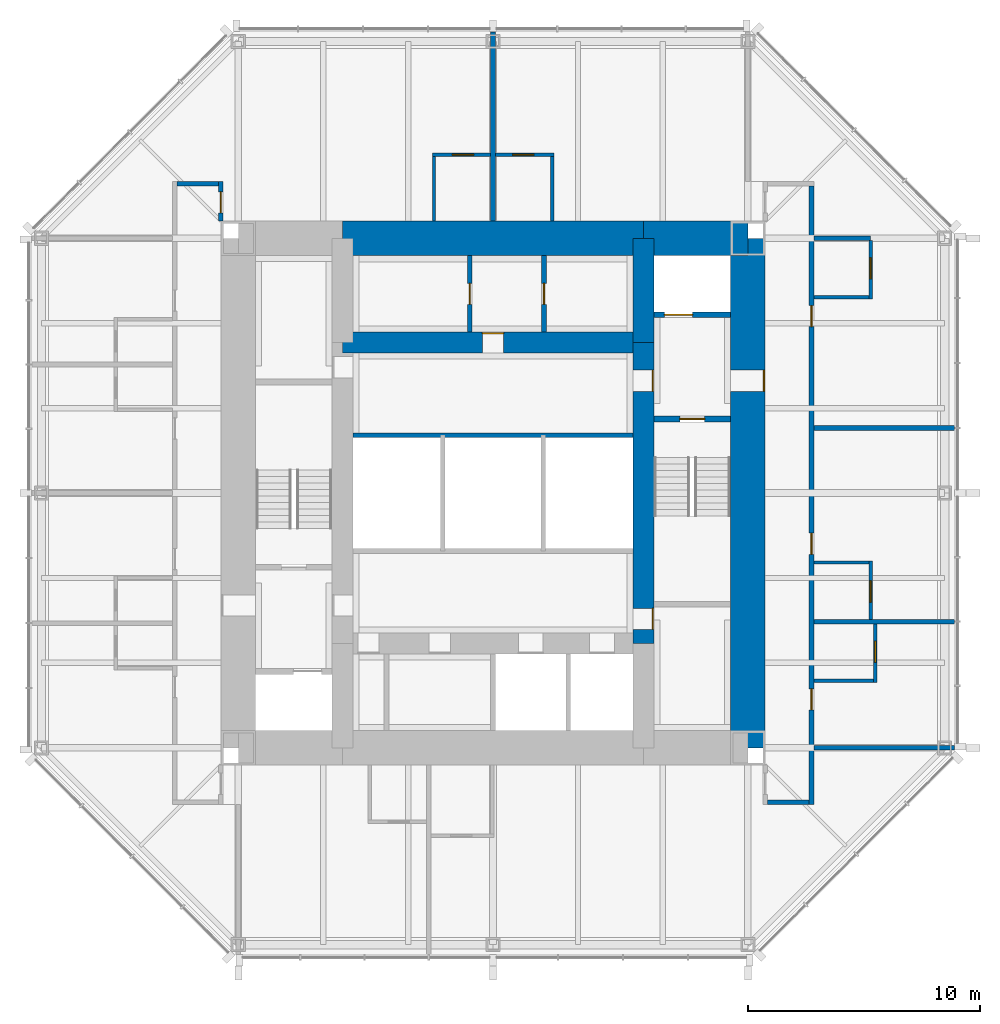
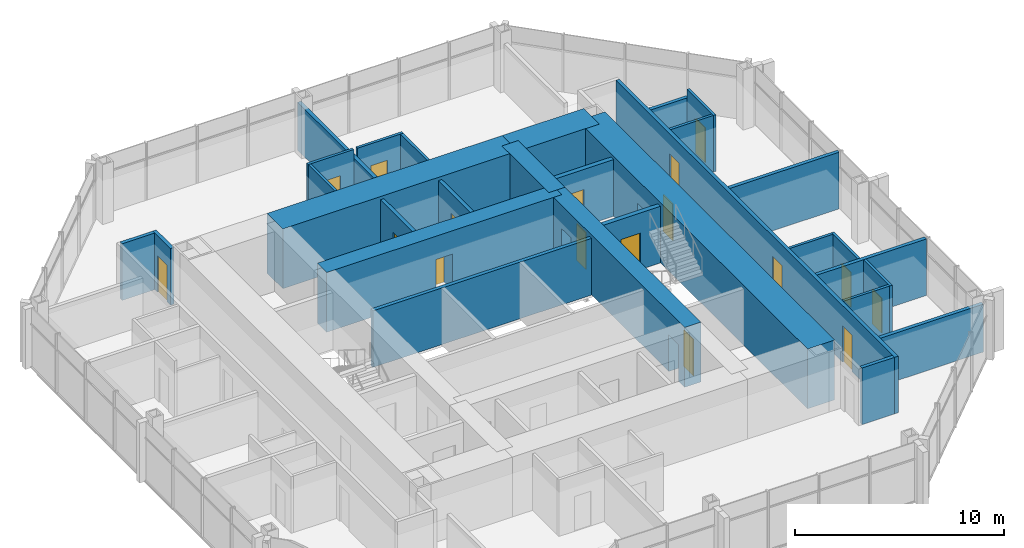
# One storey, part 9 of 11: 30 walls, 17 doors, 17 openings.
"""IFC4 building model written with IfcOpenShell, lengths in metres."""

from ifc_helpers import new_model, si_unit, direction, frame, frame_2d, origin, place, context, subcontext, project, spatial, rectangle, extrude, material, layer, layer_set, type_object, element, fill, save


model = new_model("IFC4")

# Units and contexts
model_context = context("Model", 3, precision=1e-05, world=origin(), true_north=direction((0.0, 1.0)))
body_context = subcontext(model_context, "Body", "Model", "MODEL_VIEW")
ifc_project = project(units=[si_unit("LENGTHUNIT", "METRE"), si_unit("AREAUNIT", "SQUARE_METRE"), si_unit("VOLUMEUNIT", "CUBIC_METRE"), si_unit("PLANEANGLEUNIT", "RADIAN"), si_unit("MASSUNIT", "GRAM", prefix="KILO")], contexts=[model_context])

# Site, building, storey
site_placement = place(None, origin())
site = spatial("IfcSite", under=ifc_project, at=site_placement, CompositionType="ELEMENT")
building_placement = place(site_placement, origin())
building = spatial("IfcBuilding", under=site, at=building_placement, Name="Trevanion Tower", CompositionType="ELEMENT")
storey_placement = place(building_placement, frame((0.0, 0.0, 222.199951171875)))
storey = spatial("IfcBuildingStorey", under=building, at=storey_placement, Name="L53", CompositionType="ELEMENT", Elevation=222.199951171875)

# Wall, opening, door
ifc_material_1 = material(Name="Concrete 10,000 psi", Category="concrete")
ifc_layer_1 = layer(ifc_material_1, 1.5)
ifc_layer_set_1 = layer_set([ifc_layer_1], Name="CW1 core wall 1500")
wall_type_1 = type_object("IfcWallType", Name="CW1 core wall 1500", PredefinedType="SHEAR", material=ifc_layer_set_1)
wall_1_placement = place(storey_placement, frame((11.0, -11.0, 0.0), z_axis=(0.0, 0.0, 1.0), x_axis=(0.0, 1.0, 0.0)))
wall_1 = element("IfcWall", 1, at=wall_1_placement, inside=storey, type_object=wall_type_1, Name="CW1 CE L53", PredefinedType="SHEAR", context=body_context, shape_type="SweptSolid", body=[
    extrude(rectangle(XDim=22.0, YDim=1.5, at=frame_2d((11.0, 0.0))), origin(), (0.0, 0.0, 1.0), 3.5),
])
opening_1_placement = place(wall_1_placement, frame((15.392578125, 0.0, 0.0)))
opening_1 = element("IfcOpeningElement", 2, at=opening_1_placement, cuts=wall_1, Name="Opening 53-001", PredefinedType="OPENING", context=body_context, shape_type="SweptSolid", body=[
    extrude(rectangle(XDim=0.9150390625, YDim=2.134033203125, at=frame_2d((0.45751953125, 1.06689453125))), frame((0.0, 0.760009765625, 0.0), z_axis=(0.0, -1.0, 0.0), x_axis=(1.0, 0.0, 0.0)), (0.0, 0.0, 1.0), 1.52001953125),
])
ifc_material_2 = material(Name="Hollow metal, fire rated", Category="steel")
door_type_1 = type_object("IfcDoorType", Name="D3 fire lift lobby door", OperationType="SINGLE_SWING_RIGHT", PredefinedType="DOOR", material=ifc_material_2)
door_1_placement = place(opening_1_placement, origin())
door_1 = element("IfcDoor", 3, at=door_1_placement, inside=storey, type_object=door_type_1, Name="Door 53-001", OperationType="SINGLE_SWING_RIGHT", OverallHeight=2.134033203125, OverallWidth=0.9150390625, PredefinedType="DOOR", context=body_context, shape_type="SweptSolid", body=[
    extrude(rectangle(XDim=0.9150390625, YDim=2.134033203125, at=frame_2d((0.45751953125, 1.06689453125))), frame((0.0, -0.6748046875, 0.0), z_axis=(0.0, -1.0, 0.0), x_axis=(1.0, 0.0, 0.0)), (0.0, 0.0, 1.0), 0.050048828125),
])
fill(opening_1, door_1)

# Walls
wall_2_placement = place(storey_placement, frame((11.0, 11.0, 0.0), z_axis=(0.0, 0.0, 1.0), x_axis=(-1.0, 0.0, 0.0)))
element("IfcWall", 4, at=wall_2_placement, inside=storey, type_object=wall_type_1, Name="CW1 CN1 L53", PredefinedType="SHEAR", context=body_context, shape_type="SweptSolid", body=[
    extrude(rectangle(XDim=4.5, YDim=1.5, at=frame_2d((2.25, 0.0))), origin(), (0.0, 0.0, 1.0), 3.5),
])
wall_3_placement = place(storey_placement, frame((6.5, 11.0, 0.0), z_axis=(0.0, 0.0, 1.0), x_axis=(-1.0, 0.0, 0.0)))
element("IfcWall", 5, at=wall_3_placement, inside=storey, type_object=wall_type_1, Name="CW1 CN2 L53", PredefinedType="SHEAR", context=body_context, shape_type="SweptSolid", body=[
    extrude(rectangle(XDim=13.0, YDim=1.5, at=frame_2d((6.5, 0.0))), origin(), (0.0, 0.0, 1.0), 3.5),
])

# Wall, openings, doors
ifc_material_3 = material(Name="Concrete 10,000 psi", Category="concrete")
ifc_layer_2 = layer(ifc_material_3, 0.89990234375)
ifc_layer_set_2 = layer_set([ifc_layer_2], Name="CW2 core wall 900")
wall_type_2 = type_object("IfcWallType", Name="CW2 core wall 900", PredefinedType="SHEAR", material=ifc_layer_set_2)
wall_4_placement = place(storey_placement, frame((6.5, -6.5, 0.0), z_axis=(0.0, 0.0, 1.0), x_axis=(0.0, 1.0, 0.0)))
wall_4 = element("IfcWall", 6, at=wall_4_placement, inside=storey, type_object=wall_type_2, Name="CW2 RE2 L53", PredefinedType="SHEAR", context=body_context, shape_type="SweptSolid", body=[
    extrude(rectangle(XDim=13.0, YDim=0.89990234375, at=frame_2d((6.5, 0.0))), origin(), (0.0, 0.0, 1.0), 3.5),
])
opening_2_placement = place(wall_4_placement, frame((10.892578125, 0.0, 0.0)))
opening_2 = element("IfcOpeningElement", 7, at=opening_2_placement, cuts=wall_4, Name="Opening 53-003", PredefinedType="OPENING", context=body_context, shape_type="SweptSolid", body=[
    extrude(rectangle(XDim=0.9150390625, YDim=2.134033203125, at=frame_2d((0.45751953125, 1.06689453125))), frame((0.0, 0.4599609375, 0.0), z_axis=(0.0, -1.0, 0.0), x_axis=(1.0, 0.0, 0.0)), (0.0, 0.0, 1.0), 0.919921875),
])
opening_3_placement = place(wall_4_placement, frame((0.610107421875, 0.0, 0.0)))
opening_3 = element("IfcOpeningElement", 8, at=opening_3_placement, cuts=wall_4, Name="Opening 53-009", PredefinedType="OPENING", context=body_context, shape_type="SweptSolid", body=[
    extrude(rectangle(XDim=0.9150390625, YDim=2.134033203125, at=frame_2d((0.45751953125, 1.06689453125))), frame((0.0, 0.4599609375, 0.0), z_axis=(0.0, -1.0, 0.0), x_axis=(1.0, 0.0, 0.0)), (0.0, 0.0, 1.0), 0.919921875),
])
door_2_placement = place(opening_2_placement, origin())
door_2 = element("IfcDoor", 9, at=door_2_placement, inside=storey, type_object=door_type_1, Name="Door 53-003", OperationType="SINGLE_SWING_RIGHT", OverallHeight=2.134033203125, OverallWidth=0.9150390625, PredefinedType="DOOR", context=body_context, shape_type="SweptSolid", body=[
    extrude(rectangle(XDim=0.9150390625, YDim=2.134033203125, at=frame_2d((0.45751953125, 1.06689453125))), frame((0.0, -0.375, 0.0), z_axis=(0.0, -1.0, 0.0), x_axis=(1.0, 0.0, 0.0)), (0.0, 0.0, 1.0), 0.050048828125),
])
fill(opening_2, door_2)
ifc_material_4 = material(Name="Hollow metal, fire rated", Category="steel")
door_type_2 = type_object("IfcDoorType", Name="D5 service room door", OperationType="SINGLE_SWING_RIGHT", PredefinedType="DOOR", material=ifc_material_4)
door_3_placement = place(opening_3_placement, origin())
door_3 = element("IfcDoor", 10, at=door_3_placement, inside=storey, type_object=door_type_2, Name="Door 53-009", OperationType="SINGLE_SWING_RIGHT", OverallHeight=2.134033203125, OverallWidth=0.9150390625, PredefinedType="DOOR", context=body_context, shape_type="SweptSolid", body=[
    extrude(rectangle(XDim=0.9150390625, YDim=2.134033203125, at=frame_2d((0.45751953125, 1.06689453125))), frame((0.0, -0.375, 0.0), z_axis=(0.0, -1.0, 0.0), x_axis=(1.0, 0.0, 0.0)), (0.0, 0.0, 1.0), 0.050048828125),
])
fill(opening_3, door_3)

# Wall
wall_5_placement = place(storey_placement, frame((6.5, 6.5, 0.0), z_axis=(0.0, 0.0, 1.0), x_axis=(0.0, 1.0, 0.0)))
element("IfcWall", 11, at=wall_5_placement, inside=storey, type_object=wall_type_2, Name="CW2 RE3 L53", PredefinedType="SHEAR", context=body_context, shape_type="SweptSolid", body=[
    extrude(rectangle(XDim=4.5, YDim=0.89990234375, at=frame_2d((2.25, 0.0))), origin(), (0.0, 0.0, 1.0), 3.5),
])

# Wall, opening, door
wall_6_placement = place(storey_placement, frame((6.5, 6.5, 0.0), z_axis=(0.0, 0.0, 1.0), x_axis=(-1.0, 0.0, 0.0)))
wall_6 = element("IfcWall", 12, at=wall_6_placement, inside=storey, type_object=wall_type_2, Name="CW2 RN L53", PredefinedType="SHEAR", context=body_context, shape_type="SweptSolid", body=[
    extrude(rectangle(XDim=13.0, YDim=0.89990234375, at=frame_2d((6.5, 0.0))), origin(), (0.0, 0.0, 1.0), 3.5),
])
opening_4_placement = place(wall_6_placement, frame((6.04248046875, 0.0, 0.0)))
opening_4 = element("IfcOpeningElement", 13, at=opening_4_placement, cuts=wall_6, Name="Opening 53-015", PredefinedType="OPENING", context=body_context, shape_type="SweptSolid", body=[
    extrude(rectangle(XDim=0.9150390625, YDim=2.134033203125, at=frame_2d((0.45751953125, 1.06689453125))), frame((0.0, 0.4599609375, 0.0), z_axis=(0.0, -1.0, 0.0), x_axis=(1.0, 0.0, 0.0)), (0.0, 0.0, 1.0), 0.919921875),
])
door_4_placement = place(opening_4_placement, origin())
door_4 = element("IfcDoor", 14, at=door_4_placement, inside=storey, type_object=door_type_2, Name="Door 53-015", OperationType="SINGLE_SWING_RIGHT", OverallHeight=2.134033203125, OverallWidth=0.9150390625, PredefinedType="DOOR", context=body_context, shape_type="SweptSolid", body=[
    extrude(rectangle(XDim=0.9150390625, YDim=2.134033203125, at=frame_2d((0.45751953125, 1.06689453125))), frame((0.0, -0.375, 0.0), z_axis=(0.0, -1.0, 0.0), x_axis=(1.0, 0.0, 0.0)), (0.0, 0.0, 1.0), 0.050048828125),
])
fill(opening_4, door_4)

ifc_material_5 = material(Name="Gypsum board on steel studs", Category="steel")
ifc_layer_3 = layer(ifc_material_5, 0.14990234375)
ifc_layer_set_3 = layer_set([ifc_layer_3], Name="PT1 partition 150")
wall_type_3 = type_object("IfcWallType", Name="PT1 partition 150", PredefinedType="PARTITIONING", material=ifc_layer_set_3)
wall_7_placement = place(storey_placement, frame((16.5, -8.174072265625, 0.0), z_axis=(0.0, 0.0, 1.0), x_axis=(0.0, 1.0, 0.0)))
wall_7 = element("IfcWall", 15, at=wall_7_placement, inside=storey, type_object=wall_type_3, Name="PT1 L53 BA00", PredefinedType="PARTITIONING", context=body_context, shape_type="SweptSolid", body=[
    extrude(rectangle(XDim=2.525146484375, YDim=0.14990234375, at=frame_2d((1.2626953125, 0.0))), origin(), (0.0, 0.0, 1.0), 3.31005859375),
])
opening_5_placement = place(wall_7_placement, frame((0.867431640625, 0.0, 0.0)))
opening_5 = element("IfcOpeningElement", 16, at=opening_5_placement, cuts=wall_7, Name="Opening 53-018", PredefinedType="OPENING", context=body_context, shape_type="SweptSolid", body=[
    extrude(rectangle(XDim=0.9150390625, YDim=2.031982421875, at=frame_2d((0.45751953125, 1.01611328125))), frame((0.0, 0.0849609375, 0.0), z_axis=(0.0, -1.0, 0.0), x_axis=(1.0, 0.0, 0.0)), (0.0, 0.0, 1.0), 0.169921875),
])
ifc_material_6 = material(Name="Timber veneer", Category="wood")
door_type_3 = type_object("IfcDoorType", Name="D7 bathroom door", OperationType="SINGLE_SWING_LEFT", PredefinedType="DOOR", material=ifc_material_6)
door_5_placement = place(opening_5_placement, origin())
door_5 = element("IfcDoor", 17, at=door_5_placement, inside=storey, type_object=door_type_3, Name="Door 53-018", OperationType="SINGLE_SWING_LEFT", OverallHeight=2.031982421875, OverallWidth=0.9150390625, PredefinedType="DOOR", context=body_context, shape_type="SweptSolid", body=[
    extrude(rectangle(XDim=0.9150390625, YDim=2.031982421875, at=frame_2d((0.45751953125, 1.01611328125))), frame((0.0, 0.02490234375, 0.0), z_axis=(0.0, -1.0, 0.0), x_axis=(1.0, 0.0, 0.0)), (0.0, 0.0, 1.0), 0.050048828125),
])
fill(opening_5, door_5)

# Wall
wall_8_placement = place(storey_placement, frame((13.85009765625, -8.09912109375, 0.0), z_axis=(0.0, 0.0, 1.0), x_axis=(1.0, 0.0, 0.0)))
element("IfcWall", 18, at=wall_8_placement, inside=storey, type_object=wall_type_3, Name="PT1 L53 BB00", PredefinedType="PARTITIONING", context=body_context, shape_type="SweptSolid", body=[
    extrude(rectangle(XDim=2.574951171875, YDim=0.14990234375, at=frame_2d((1.28759765625, 0.0))), origin(), (0.0, 0.0, 1.0), 3.31005859375),
])

# Wall, opening, door
wall_9_placement = place(storey_placement, frame((16.300048828125, -5.448974609375, 0.0), z_axis=(0.0, 0.0, 1.0), x_axis=(0.0, 1.0, 0.0)))
wall_9 = element("IfcWall", 19, at=wall_9_placement, inside=storey, type_object=wall_type_3, Name="PT1 L53 BA01", PredefinedType="PARTITIONING", context=body_context, shape_type="SweptSolid", body=[
    extrude(rectangle(XDim=2.52490234375, YDim=0.14990234375, at=frame_2d((1.262451171875, 0.0))), origin(), (0.0, 0.0, 1.0), 3.31005859375),
])
opening_6_placement = place(wall_9_placement, frame((0.742431640625, 0.0, 0.0)))
opening_6 = element("IfcOpeningElement", 20, at=opening_6_placement, cuts=wall_9, Name="Opening 53-020", PredefinedType="OPENING", context=body_context, shape_type="SweptSolid", body=[
    extrude(rectangle(XDim=0.9150390625, YDim=2.031982421875, at=frame_2d((0.45751953125, 1.01611328125))), frame((0.0, 0.0849609375, 0.0), z_axis=(0.0, -1.0, 0.0), x_axis=(1.0, 0.0, 0.0)), (0.0, 0.0, 1.0), 0.169921875),
])
door_6_placement = place(opening_6_placement, origin())
door_6 = element("IfcDoor", 21, at=door_6_placement, inside=storey, type_object=door_type_3, Name="Door 53-020", OperationType="SINGLE_SWING_LEFT", OverallHeight=2.031982421875, OverallWidth=0.9150390625, PredefinedType="DOOR", context=body_context, shape_type="SweptSolid", body=[
    extrude(rectangle(XDim=0.9150390625, YDim=2.031982421875, at=frame_2d((0.45751953125, 1.01611328125))), frame((0.0, 0.02490234375, 0.0), z_axis=(0.0, -1.0, 0.0), x_axis=(1.0, 0.0, 0.0)), (0.0, 0.0, 1.0), 0.050048828125),
])
fill(opening_6, door_6)

# Wall
wall_10_placement = place(storey_placement, frame((13.85009765625, -2.9990234375, 0.0), z_axis=(0.0, 0.0, 1.0), x_axis=(1.0, 0.0, 0.0)))
element("IfcWall", 22, at=wall_10_placement, inside=storey, type_object=wall_type_3, Name="PT1 L53 BB01", PredefinedType="PARTITIONING", context=body_context, shape_type="SweptSolid", body=[
    extrude(rectangle(XDim=2.375, YDim=0.14990234375, at=frame_2d((1.1875, 0.0))), origin(), (0.0, 0.0, 1.0), 3.31005859375),
])

# Wall, opening, door
wall_11_placement = place(storey_placement, frame((16.300048828125, 8.375, 0.0), z_axis=(0.0, 0.0, 1.0), x_axis=(0.0, 1.0, 0.0)))
wall_11 = element("IfcWall", 23, at=wall_11_placement, inside=storey, type_object=wall_type_3, Name="PT1 L53 BA02", PredefinedType="PARTITIONING", context=body_context, shape_type="SweptSolid", body=[
    extrude(rectangle(XDim=2.52490234375, YDim=0.14990234375, at=frame_2d((1.262451171875, 0.0))), origin(), (0.0, 0.0, 1.0), 3.31005859375),
])
opening_7_placement = place(wall_11_placement, frame((0.867431640625, 0.0, 0.0)))
opening_7 = element("IfcOpeningElement", 24, at=opening_7_placement, cuts=wall_11, Name="Opening 53-022", PredefinedType="OPENING", context=body_context, shape_type="SweptSolid", body=[
    extrude(rectangle(XDim=0.9150390625, YDim=2.031982421875, at=frame_2d((0.45751953125, 1.01611328125))), frame((0.0, 0.0849609375, 0.0), z_axis=(0.0, -1.0, 0.0), x_axis=(1.0, 0.0, 0.0)), (0.0, 0.0, 1.0), 0.169921875),
])
door_7_placement = place(opening_7_placement, origin())
door_7 = element("IfcDoor", 25, at=door_7_placement, inside=storey, type_object=door_type_3, Name="Door 53-022", OperationType="SINGLE_SWING_LEFT", OverallHeight=2.031982421875, OverallWidth=0.9150390625, PredefinedType="DOOR", context=body_context, shape_type="SweptSolid", body=[
    extrude(rectangle(XDim=0.9150390625, YDim=2.031982421875, at=frame_2d((0.45751953125, 1.01611328125))), frame((0.0, 0.02490234375, 0.0), z_axis=(0.0, -1.0, 0.0), x_axis=(1.0, 0.0, 0.0)), (0.0, 0.0, 1.0), 0.050048828125),
])
fill(opening_7, door_7)

# Wall
wall_12_placement = place(storey_placement, frame((13.85009765625, 8.449951171875, 0.0), z_axis=(0.0, 0.0, 1.0), x_axis=(1.0, 0.0, 0.0)))
element("IfcWall", 26, at=wall_12_placement, inside=storey, type_object=wall_type_3, Name="PT1 L53 BB02", PredefinedType="PARTITIONING", context=body_context, shape_type="SweptSolid", body=[
    extrude(rectangle(XDim=2.375, YDim=0.14990234375, at=frame_2d((1.1875, 0.0))), origin(), (0.0, 0.0, 1.0), 3.31005859375),
])

# Wall, opening, door
wall_13_placement = place(storey_placement, frame((2.625, 14.60009765625, 0.0), z_axis=(0.0, 0.0, 1.0), x_axis=(-1.0, 0.0, 0.0)))
wall_13 = element("IfcWall", 27, at=wall_13_placement, inside=storey, type_object=wall_type_3, Name="PT1 L53 BA10", PredefinedType="PARTITIONING", context=body_context, shape_type="SweptSolid", body=[
    extrude(rectangle(XDim=2.52490234375, YDim=0.14990234375, at=frame_2d((1.262451171875, 0.0))), origin(), (0.0, 0.0, 1.0), 3.31005859375),
])
opening_8_placement = place(wall_13_placement, frame((0.867431640625, 0.0, 0.0)))
opening_8 = element("IfcOpeningElement", 28, at=opening_8_placement, cuts=wall_13, Name="Opening 53-026", PredefinedType="OPENING", context=body_context, shape_type="SweptSolid", body=[
    extrude(rectangle(XDim=0.9150390625, YDim=2.031982421875, at=frame_2d((0.45751953125, 1.01611328125))), frame((0.0, 0.0849609375, 0.0), z_axis=(0.0, -1.0, 0.0), x_axis=(1.0, 0.0, 0.0)), (0.0, 0.0, 1.0), 0.169921875),
])
door_8_placement = place(opening_8_placement, origin())
door_8 = element("IfcDoor", 29, at=door_8_placement, inside=storey, type_object=door_type_3, Name="Door 53-026", OperationType="SINGLE_SWING_LEFT", OverallHeight=2.031982421875, OverallWidth=0.9150390625, PredefinedType="DOOR", context=body_context, shape_type="SweptSolid", body=[
    extrude(rectangle(XDim=0.9150390625, YDim=2.031982421875, at=frame_2d((0.45751953125, 1.01611328125))), frame((0.0, 0.02490234375, 0.0), z_axis=(0.0, -1.0, 0.0), x_axis=(1.0, 0.0, 0.0)), (0.0, 0.0, 1.0), 0.050048828125),
])
fill(opening_8, door_8)

# Wall
wall_14_placement = place(storey_placement, frame((2.550048828125, 11.75, 0.0), z_axis=(0.0, 0.0, 1.0), x_axis=(0.0, 1.0, 0.0)))
element("IfcWall", 30, at=wall_14_placement, inside=storey, type_object=wall_type_3, Name="PT1 L53 BB10", PredefinedType="PARTITIONING", context=body_context, shape_type="SweptSolid", body=[
    extrude(rectangle(XDim=2.77490234375, YDim=0.14990234375, at=frame_2d((1.387451171875, 0.0))), origin(), (0.0, 0.0, 1.0), 3.31005859375),
])

# Wall, opening, door
wall_15_placement = place(storey_placement, frame((-0.10009765625, 14.60009765625, 0.0), z_axis=(0.0, 0.0, 1.0), x_axis=(-1.0, 0.0, 0.0)))
wall_15 = element("IfcWall", 31, at=wall_15_placement, inside=storey, type_object=wall_type_3, Name="PT1 L53 BA11", PredefinedType="PARTITIONING", context=body_context, shape_type="SweptSolid", body=[
    extrude(rectangle(XDim=2.52490234375, YDim=0.14990234375, at=frame_2d((1.262451171875, 0.0))), origin(), (0.0, 0.0, 1.0), 3.31005859375),
])
opening_9_placement = place(wall_15_placement, frame((0.742431640625, 0.0, 0.0)))
opening_9 = element("IfcOpeningElement", 32, at=opening_9_placement, cuts=wall_15, Name="Opening 53-027", PredefinedType="OPENING", context=body_context, shape_type="SweptSolid", body=[
    extrude(rectangle(XDim=0.9150390625, YDim=2.031982421875, at=frame_2d((0.45751953125, 1.01611328125))), frame((0.0, 0.0849609375, 0.0), z_axis=(0.0, -1.0, 0.0), x_axis=(1.0, 0.0, 0.0)), (0.0, 0.0, 1.0), 0.169921875),
])
door_9_placement = place(opening_9_placement, origin())
door_9 = element("IfcDoor", 33, at=door_9_placement, inside=storey, type_object=door_type_3, Name="Door 53-027", OperationType="SINGLE_SWING_LEFT", OverallHeight=2.031982421875, OverallWidth=0.9150390625, PredefinedType="DOOR", context=body_context, shape_type="SweptSolid", body=[
    extrude(rectangle(XDim=0.9150390625, YDim=2.031982421875, at=frame_2d((0.45751953125, 1.01611328125))), frame((0.0, 0.02490234375, 0.0), z_axis=(0.0, -1.0, 0.0), x_axis=(1.0, 0.0, 0.0)), (0.0, 0.0, 1.0), 0.050048828125),
])
fill(opening_9, door_9)

# Walls
wall_16_placement = place(storey_placement, frame((-2.550048828125, 11.75, 0.0), z_axis=(0.0, 0.0, 1.0), x_axis=(0.0, 1.0, 0.0)))
element("IfcWall", 34, at=wall_16_placement, inside=storey, type_object=wall_type_3, Name="PT1 L53 BB11", PredefinedType="PARTITIONING", context=body_context, shape_type="SweptSolid", body=[
    extrude(rectangle(XDim=2.77490234375, YDim=0.14990234375, at=frame_2d((1.387451171875, 0.0))), origin(), (0.0, 0.0, 1.0), 3.31005859375),
])
ifc_material_7 = material(Name="Concrete masonry, grouted", Category="masonry")
ifc_layer_4 = layer(ifc_material_7, 0.199951171875)
ifc_layer_set_4 = layer_set([ifc_layer_4], Name="PT2 partition 200 1 HR")
wall_type_4 = type_object("IfcWallType", Name="PT2 partition 200 1 HR", PredefinedType="PARTITIONING", material=ifc_layer_set_4)
wall_17_placement = place(storey_placement, frame((-6.050048828125, 2.5, 0.0), z_axis=(0.0, 0.0, 1.0), x_axis=(1.0, 0.0, 0.0)))
element("IfcWall", 35, at=wall_17_placement, inside=storey, type_object=wall_type_4, Name="PT2 L53 CP1", PredefinedType="PARTITIONING", context=body_context, shape_type="SweptSolid", body=[
    extrude(rectangle(XDim=12.10009765625, YDim=0.199951171875, at=frame_2d((6.050048828125, 0.0))), origin(), (0.0, 0.0, 1.0), 3.31005859375),
])

# Wall, opening, door
wall_18_placement = place(storey_placement, frame((-1.0, 6.949951171875, 0.0), z_axis=(0.0, 0.0, 1.0), x_axis=(0.0, 1.0, 0.0)))
wall_18 = element("IfcWall", 36, at=wall_18_placement, inside=storey, type_object=wall_type_4, Name="PT2 L53 HKP1", PredefinedType="PARTITIONING", context=body_context, shape_type="SweptSolid", body=[
    extrude(rectangle(XDim=3.300048828125, YDim=0.199951171875, at=frame_2d((1.64990234375, 0.0))), origin(), (0.0, 0.0, 1.0), 3.31005859375),
])
opening_10_placement = place(wall_18_placement, frame((1.1923828125, 0.0, 0.0)))
opening_10 = element("IfcOpeningElement", 37, at=opening_10_placement, cuts=wall_18, Name="Opening 53-016", PredefinedType="OPENING", context=body_context, shape_type="SweptSolid", body=[
    extrude(rectangle(XDim=0.9150390625, YDim=2.134033203125, at=frame_2d((0.45751953125, 1.06689453125))), frame((0.0, 0.10986328125, 0.0), z_axis=(0.0, -1.0, 0.0), x_axis=(1.0, 0.0, 0.0)), (0.0, 0.0, 1.0), 0.219970703125),
])
door_10_placement = place(opening_10_placement, origin())
door_10 = element("IfcDoor", 38, at=door_10_placement, inside=storey, type_object=door_type_2, Name="Door 53-016", OperationType="SINGLE_SWING_RIGHT", OverallHeight=2.134033203125, OverallWidth=0.9150390625, PredefinedType="DOOR", context=body_context, shape_type="SweptSolid", body=[
    extrude(rectangle(XDim=0.9150390625, YDim=2.134033203125, at=frame_2d((0.45751953125, 1.06689453125))), frame((0.0, 0.02490234375, 0.0), z_axis=(0.0, -1.0, 0.0), x_axis=(1.0, 0.0, 0.0)), (0.0, 0.0, 1.0), 0.050048828125),
])
fill(opening_10, door_10)

wall_19_placement = place(storey_placement, frame((2.199951171875, 6.949951171875, 0.0), z_axis=(0.0, 0.0, 1.0), x_axis=(0.0, 1.0, 0.0)))
wall_19 = element("IfcWall", 39, at=wall_19_placement, inside=storey, type_object=wall_type_4, Name="PT2 L53 HKP2", PredefinedType="PARTITIONING", context=body_context, shape_type="SweptSolid", body=[
    extrude(rectangle(XDim=3.300048828125, YDim=0.199951171875, at=frame_2d((1.64990234375, 0.0))), origin(), (0.0, 0.0, 1.0), 3.31005859375),
])
opening_11_placement = place(wall_19_placement, frame((1.1923828125, 0.0, 0.0)))
opening_11 = element("IfcOpeningElement", 40, at=opening_11_placement, cuts=wall_19, Name="Opening 53-017", PredefinedType="OPENING", context=body_context, shape_type="SweptSolid", body=[
    extrude(rectangle(XDim=0.9150390625, YDim=2.134033203125, at=frame_2d((0.45751953125, 1.06689453125))), frame((0.0, 0.10986328125, 0.0), z_axis=(0.0, -1.0, 0.0), x_axis=(1.0, 0.0, 0.0)), (0.0, 0.0, 1.0), 0.219970703125),
])
door_11_placement = place(opening_11_placement, origin())
door_11 = element("IfcDoor", 41, at=door_11_placement, inside=storey, type_object=door_type_2, Name="Door 53-017", OperationType="SINGLE_SWING_RIGHT", OverallHeight=2.134033203125, OverallWidth=0.9150390625, PredefinedType="DOOR", context=body_context, shape_type="SweptSolid", body=[
    extrude(rectangle(XDim=0.9150390625, YDim=2.134033203125, at=frame_2d((0.45751953125, 1.06689453125))), frame((0.0, 0.02490234375, 0.0), z_axis=(0.0, -1.0, 0.0), x_axis=(1.0, 0.0, 0.0)), (0.0, 0.0, 1.0), 0.050048828125),
])
fill(opening_11, door_11)

wall_20_placement = place(storey_placement, frame((-11.75, 11.75, 0.0), z_axis=(0.0, 0.0, 1.0), x_axis=(0.0, 1.0, 0.0)))
wall_20 = element("IfcWall", 42, at=wall_20_placement, inside=storey, type_object=wall_type_4, Name="PT2 L53 HO1b", PredefinedType="PARTITIONING", context=body_context, shape_type="SweptSolid", body=[
    extrude(rectangle(XDim=1.699951171875, YDim=0.199951171875, at=frame_2d((0.85009765625, 0.0))), origin(), (0.0, 0.0, 1.0), 3.31005859375),
])
opening_12_placement = place(wall_20_placement, frame((0.342529296875, 0.0, 0.0)))
opening_12 = element("IfcOpeningElement", 43, at=opening_12_placement, cuts=wall_20, Name="Opening 53-025", PredefinedType="OPENING", context=body_context, shape_type="SweptSolid", body=[
    extrude(rectangle(XDim=0.9150390625, YDim=2.134033203125, at=frame_2d((0.45751953125, 1.06689453125))), frame((0.0, 0.10986328125, 0.0), z_axis=(0.0, -1.0, 0.0), x_axis=(1.0, 0.0, 0.0)), (0.0, 0.0, 1.0), 0.219970703125),
])
ifc_material_8 = material(Name="Timber veneer, fire rated", Category="wood")
door_type_4 = type_object("IfcDoorType", Name="D6 guest room entrance door", OperationType="SINGLE_SWING_LEFT", PredefinedType="DOOR", material=ifc_material_8)
door_12_placement = place(opening_12_placement, origin())
door_12 = element("IfcDoor", 44, at=door_12_placement, inside=storey, type_object=door_type_4, Name="Door 53-025", OperationType="SINGLE_SWING_LEFT", OverallHeight=2.134033203125, OverallWidth=0.9150390625, PredefinedType="DOOR", context=body_context, shape_type="SweptSolid", body=[
    extrude(rectangle(XDim=0.9150390625, YDim=2.134033203125, at=frame_2d((0.45751953125, 1.06689453125))), frame((0.0, 0.02490234375, 0.0), z_axis=(0.0, -1.0, 0.0), x_axis=(1.0, 0.0, 0.0)), (0.0, 0.0, 1.0), 0.050048828125),
])
fill(opening_12, door_12)

# Walls
for number, where, z_axis, x_axis, name in (
    (45, (-11.85009765625, 13.35009765625, 0.0), (0.0, 0.0, 1.0), (-1.0, 0.0, 0.0), "PT2 L53 HC1cb"),
    (46, (11.85009765625, -13.35009765625, 0.0), (0.0, 0.0, 1.0), (1.0, 0.0, 0.0), "PT2 L53 HC3cb"),
):
    element("IfcWall", number, at=place(storey_placement, frame(where, z_axis=z_axis, x_axis=x_axis)), inside=storey, type_object=wall_type_4, Name=name, PredefinedType="PARTITIONING", context=body_context, shape_type="SweptSolid", body=[
        extrude(rectangle(XDim=1.7998046875, YDim=0.199951171875, at=frame_2d((0.89990234375, 0.0))), origin(), (0.0, 0.0, 1.0), 3.31005859375),
    ])

# Wall, openings, doors
wall_21_placement = place(storey_placement, frame((13.75, -13.449951171875, 0.0), z_axis=(0.0, 0.0, 1.0), x_axis=(0.0, 1.0, 0.0)))
wall_21 = element("IfcWall", 47, at=wall_21_placement, inside=storey, type_object=wall_type_4, Name="PT2 L53 HC0", PredefinedType="PARTITIONING", context=body_context, shape_type="SweptSolid", body=[
    extrude(rectangle(XDim=26.699951171875, YDim=0.199951171875, at=frame_2d((13.35009765625, 0.0))), origin(), (0.0, 0.0, 1.0), 3.31005859375),
])
opening_13_placement = place(wall_21_placement, frame((4.08349609375, 0.0, 0.0)))
opening_13 = element("IfcOpeningElement", 48, at=opening_13_placement, cuts=wall_21, Name="Opening 53-019", PredefinedType="OPENING", context=body_context, shape_type="SweptSolid", body=[
    extrude(rectangle(XDim=0.9150390625, YDim=2.134033203125, at=frame_2d((0.45751953125, 1.06689453125))), frame((0.0, 0.10986328125, 0.0), z_axis=(0.0, -1.0, 0.0), x_axis=(1.0, 0.0, 0.0)), (0.0, 0.0, 1.0), 0.219970703125),
])
opening_14_placement = place(wall_21_placement, frame((10.803466796875, 0.0, 0.0)))
opening_14 = element("IfcOpeningElement", 49, at=opening_14_placement, cuts=wall_21, Name="Opening 53-021", PredefinedType="OPENING", context=body_context, shape_type="SweptSolid", body=[
    extrude(rectangle(XDim=0.9150390625, YDim=2.134033203125, at=frame_2d((0.45751953125, 1.06689453125))), frame((0.0, 0.10986328125, 0.0), z_axis=(0.0, -1.0, 0.0), x_axis=(1.0, 0.0, 0.0)), (0.0, 0.0, 1.0), 0.219970703125),
])
opening_15_placement = place(wall_21_placement, frame((20.632568359375, 0.0, 0.0)))
opening_15 = element("IfcOpeningElement", 50, at=opening_15_placement, cuts=wall_21, Name="Opening 53-023", PredefinedType="OPENING", context=body_context, shape_type="SweptSolid", body=[
    extrude(rectangle(XDim=0.9150390625, YDim=2.134033203125, at=frame_2d((0.45751953125, 1.06689453125))), frame((0.0, 0.10986328125, 0.0), z_axis=(0.0, -1.0, 0.0), x_axis=(1.0, 0.0, 0.0)), (0.0, 0.0, 1.0), 0.219970703125),
])
door_13_placement = place(opening_13_placement, origin())
door_13 = element("IfcDoor", 51, at=door_13_placement, inside=storey, type_object=door_type_4, Name="Door 53-019", OperationType="SINGLE_SWING_LEFT", OverallHeight=2.134033203125, OverallWidth=0.9150390625, PredefinedType="DOOR", context=body_context, shape_type="SweptSolid", body=[
    extrude(rectangle(XDim=0.9150390625, YDim=2.134033203125, at=frame_2d((0.45751953125, 1.06689453125))), frame((0.0, 0.02490234375, 0.0), z_axis=(0.0, -1.0, 0.0), x_axis=(1.0, 0.0, 0.0)), (0.0, 0.0, 1.0), 0.050048828125),
])
fill(opening_13, door_13)
door_14_placement = place(opening_14_placement, origin())
door_14 = element("IfcDoor", 52, at=door_14_placement, inside=storey, type_object=door_type_4, Name="Door 53-021", OperationType="SINGLE_SWING_LEFT", OverallHeight=2.134033203125, OverallWidth=0.9150390625, PredefinedType="DOOR", context=body_context, shape_type="SweptSolid", body=[
    extrude(rectangle(XDim=0.9150390625, YDim=2.134033203125, at=frame_2d((0.45751953125, 1.06689453125))), frame((0.0, 0.02490234375, 0.0), z_axis=(0.0, -1.0, 0.0), x_axis=(1.0, 0.0, 0.0)), (0.0, 0.0, 1.0), 0.050048828125),
])
fill(opening_14, door_14)
door_15_placement = place(opening_15_placement, origin())
door_15 = element("IfcDoor", 53, at=door_15_placement, inside=storey, type_object=door_type_4, Name="Door 53-023", OperationType="SINGLE_SWING_LEFT", OverallHeight=2.134033203125, OverallWidth=0.9150390625, PredefinedType="DOOR", context=body_context, shape_type="SweptSolid", body=[
    extrude(rectangle(XDim=0.9150390625, YDim=2.134033203125, at=frame_2d((0.45751953125, 1.06689453125))), frame((0.0, 0.02490234375, 0.0), z_axis=(0.0, -1.0, 0.0), x_axis=(1.0, 0.0, 0.0)), (0.0, 0.0, 1.0), 0.050048828125),
])
fill(opening_15, door_15)

# Walls
wall_22_placement = place(storey_placement, frame((13.85009765625, -11.0, 0.0), z_axis=(0.0, 0.0, 1.0), x_axis=(1.0, 0.0, 0.0)))
element("IfcWall", 54, at=wall_22_placement, inside=storey, type_object=wall_type_4, Name="PT2 L53 HD00", PredefinedType="PARTITIONING", context=body_context, shape_type="SweptSolid", body=[
    extrude(rectangle(XDim=6.06494140625, YDim=0.199951171875, at=frame_2d((3.032470703125, 0.0))), origin(), (0.0, 0.0, 1.0), 2.802001953125),
])
for number, where, z_axis, x_axis, name in (
    (55, (13.85009765625, -5.549072265625, 0.0), (0.0, 0.0, 1.0), (1.0, 0.0, 0.0), "PT2 L53 HD01"),
    (56, (13.85009765625, 2.806884765625, 0.0), (0.0, 0.0, 1.0), (1.0, 0.0, 0.0), "PT2 L53 HD02"),
):
    element("IfcWall", number, at=place(storey_placement, frame(where, z_axis=z_axis, x_axis=x_axis)), inside=storey, type_object=wall_type_4, Name=name, PredefinedType="PARTITIONING", context=body_context, shape_type="SweptSolid", body=[
        extrude(rectangle(XDim=6.06494140625, YDim=0.199951171875, at=frame_2d((3.032470703125, 0.0))), origin(), (0.0, 0.0, 1.0), 3.31005859375),
    ])
wall_23_placement = place(storey_placement, frame((13.85009765625, 11.0, 0.0), z_axis=(0.0, 0.0, 1.0), x_axis=(1.0, 0.0, 0.0)))
element("IfcWall", 57, at=wall_23_placement, inside=storey, type_object=wall_type_4, Name="PT2 L53 BC02", PredefinedType="PARTITIONING", context=body_context, shape_type="SweptSolid", body=[
    extrude(rectangle(XDim=2.449951171875, YDim=0.199951171875, at=frame_2d((1.22509765625, 0.0))), origin(), (0.0, 0.0, 1.0), 2.802001953125),
])
wall_24_placement = place(storey_placement, frame((0.0, 11.75, 0.0), z_axis=(0.0, 0.0, 1.0), x_axis=(0.0, 1.0, 0.0)))
element("IfcWall", 58, at=wall_24_placement, inside=storey, type_object=wall_type_4, Name="PT2 L53 HD11", PredefinedType="PARTITIONING", context=body_context, shape_type="SweptSolid", body=[
    extrude(rectangle(XDim=8.1650390625, YDim=0.199951171875, at=frame_2d((4.08251953125, 0.0))), origin(), (0.0, 0.0, 1.0), 2.802001953125),
])

# Wall, opening, door
ifc_material_9 = material(Name="Concrete masonry, grouted, two-hour", Category="masonry")
ifc_layer_5 = layer(ifc_material_9, 0.25)
ifc_layer_set_5 = layer_set([ifc_layer_5], Name="PT3 partition 250 2 HR")
wall_type_5 = type_object("IfcWallType", Name="PT3 partition 250 2 HR", PredefinedType="PARTITIONING", material=ifc_layer_set_5)
wall_25_placement = place(storey_placement, frame((6.949951171875, 7.699951171875, 0.0), z_axis=(0.0, 0.0, 1.0), x_axis=(1.0, 0.0, 0.0)))
wall_25 = element("IfcWall", 59, at=wall_25_placement, inside=storey, type_object=wall_type_5, Name="PT3 L53 EP3", PredefinedType="PARTITIONING", context=body_context, shape_type="SweptSolid", body=[
    extrude(rectangle(XDim=3.300048828125, YDim=0.25, at=frame_2d((1.64990234375, 0.0))), origin(), (0.0, 0.0, 1.0), 3.31005859375),
])
opening_16_placement = place(wall_25_placement, frame((0.449951171875, 0.0, 0.0)))
opening_16 = element("IfcOpeningElement", 60, at=opening_16_placement, cuts=wall_25, Name="Opening 53-007", PredefinedType="OPENING", context=body_context, shape_type="SweptSolid", body=[
    extrude(rectangle(XDim=1.218994140625, YDim=2.134033203125, at=frame_2d((0.609375, 1.06689453125))), frame((0.0, 0.135009765625, 0.0), z_axis=(0.0, -1.0, 0.0), x_axis=(1.0, 0.0, 0.0)), (0.0, 0.0, 1.0), 0.27001953125),
])
ifc_material_10 = material(Name="Stainless steel, fire rated", Category="steel")
door_type_5 = type_object("IfcDoorType", Name="LD2 fire service lift landing door", OperationType="SLIDING_TO_LEFT", PredefinedType="DOOR", material=ifc_material_10)
door_16_placement = place(opening_16_placement, origin())
door_16 = element("IfcDoor", 61, at=door_16_placement, inside=storey, type_object=door_type_5, Name="Door 53-007", OperationType="SLIDING_TO_LEFT", OverallHeight=2.134033203125, OverallWidth=1.218994140625, PredefinedType="DOOR", context=body_context, shape_type="SweptSolid", body=[
    extrude(rectangle(XDim=1.218994140625, YDim=2.134033203125, at=frame_2d((0.609375, 1.06689453125))), frame((0.0, 0.02490234375, 0.0), z_axis=(0.0, -1.0, 0.0), x_axis=(1.0, 0.0, 0.0)), (0.0, 0.0, 1.0), 0.050048828125),
])
fill(opening_16, door_16)

ifc_material_11 = material(Name="Reinforced masonry, fully grouted", Category="masonry")
ifc_layer_6 = layer(ifc_material_11, 0.25)
ifc_layer_set_6 = layer_set([ifc_layer_6], Name="SW1 stair shaft wall 250")
wall_type_6 = type_object("IfcWallType", Name="SW1 stair shaft wall 250", PredefinedType="SOLIDWALL", material=ifc_layer_set_6)
wall_26_placement = place(storey_placement, frame((6.949951171875, 3.199951171875, 0.0), z_axis=(0.0, 0.0, 1.0), x_axis=(1.0, 0.0, 0.0)))
wall_26 = element("IfcWall", 62, at=wall_26_placement, inside=storey, type_object=wall_type_6, Name="SW1 L53 EP2", PredefinedType="SOLIDWALL", context=body_context, shape_type="SweptSolid", body=[
    extrude(rectangle(XDim=3.300048828125, YDim=0.25, at=frame_2d((1.64990234375, 0.0))), origin(), (0.0, 0.0, 1.0), 3.31005859375),
])
opening_17_placement = place(wall_26_placement, frame((1.116455078125, 0.0, 0.0)))
opening_17 = element("IfcOpeningElement", 63, at=opening_17_placement, cuts=wall_26, Name="Opening 53-005", PredefinedType="OPENING", context=body_context, shape_type="SweptSolid", body=[
    extrude(rectangle(XDim=1.06689453125, YDim=2.134033203125, at=frame_2d((0.533447265625, 1.06689453125))), frame((0.0, 0.135009765625, 0.0), z_axis=(0.0, -1.0, 0.0), x_axis=(1.0, 0.0, 0.0)), (0.0, 0.0, 1.0), 0.27001953125),
])
ifc_material_12 = material(Name="Hollow metal, fire rated", Category="steel")
door_type_6 = type_object("IfcDoorType", Name="D2 exit stair door", OperationType="SINGLE_SWING_LEFT", PredefinedType="DOOR", material=ifc_material_12)
door_17_placement = place(opening_17_placement, origin())
door_17 = element("IfcDoor", 64, at=door_17_placement, inside=storey, type_object=door_type_6, Name="Door 53-005", OperationType="SINGLE_SWING_LEFT", OverallHeight=2.134033203125, OverallWidth=1.06689453125, PredefinedType="DOOR", context=body_context, shape_type="SweptSolid", body=[
    extrude(rectangle(XDim=1.06689453125, YDim=2.134033203125, at=frame_2d((0.533447265625, 1.06689453125))), frame((0.0, 0.02490234375, 0.0), z_axis=(0.0, -1.0, 0.0), x_axis=(1.0, 0.0, 0.0)), (0.0, 0.0, 1.0), 0.050048828125),
])
fill(opening_17, door_17)

save(model, "model.ifc")
